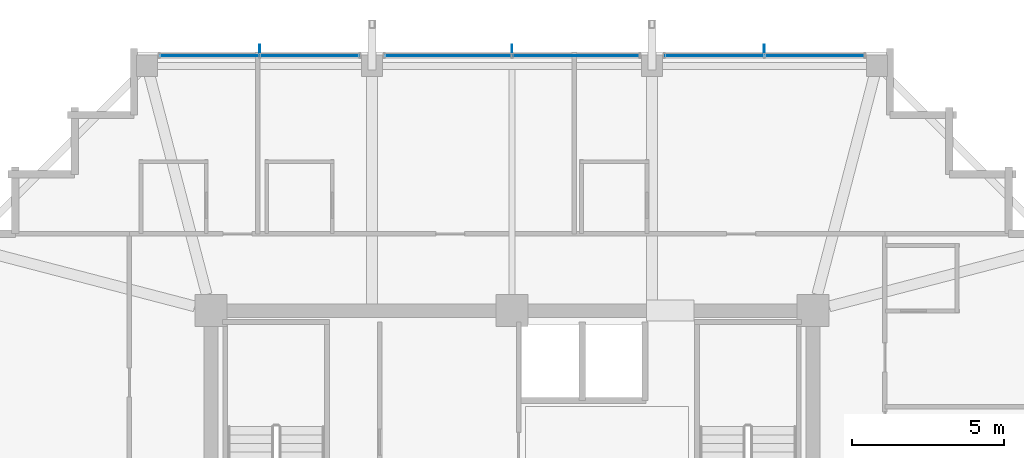
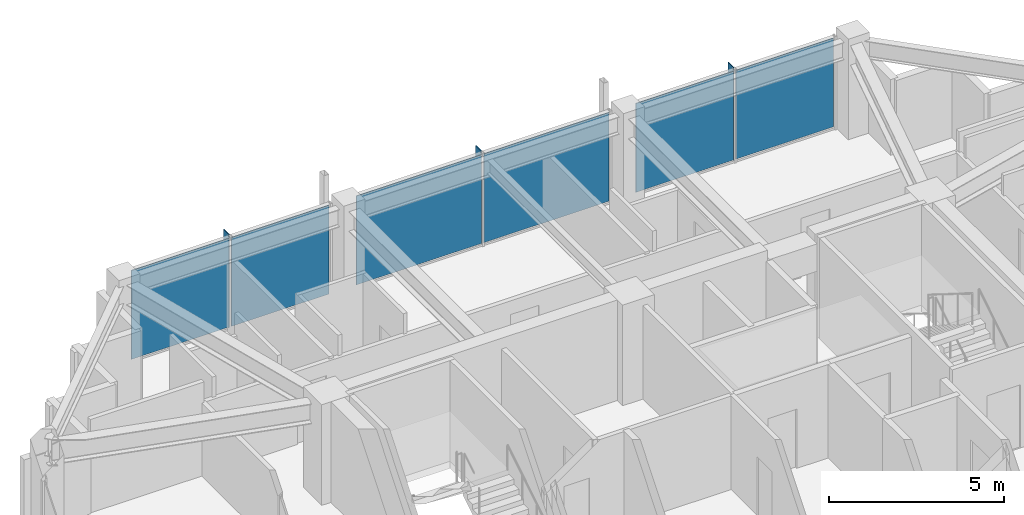
# One storey, part 23 of 29: 9 plates, 3 elements without a shape of their own.
"""IFC4 building model written with IfcOpenShell, lengths in metres."""

from ifc_helpers import new_model, si_unit, direction, frame, origin, origin_2d, place, context, subcontext, project, spatial, rectangle, extrude, material, layer, layer_set, type_object, element, aggregate, save


model = new_model("IFC4")

# Units and contexts
model_context = context("Model", 3, precision=1e-05, world=origin(), true_north=direction((0.0, 1.0)))
body_context = subcontext(model_context, "Body", "Model", "MODEL_VIEW")
ifc_project = project(units=[si_unit("LENGTHUNIT", "METRE"), si_unit("AREAUNIT", "SQUARE_METRE"), si_unit("VOLUMEUNIT", "CUBIC_METRE"), si_unit("PLANEANGLEUNIT", "RADIAN"), si_unit("MASSUNIT", "GRAM", prefix="KILO")], contexts=[model_context])

# Site, building, storey
site_placement = place(None, origin())
site = spatial("IfcSite", under=ifc_project, at=site_placement, CompositionType="ELEMENT")
building_placement = place(site_placement, origin())
building = spatial("IfcBuilding", under=site, at=building_placement, Name="Kolvaren Belvedere", CompositionType="ELEMENT")
storey_placement = place(building_placement, frame((0.0, 0.0, 244.39990234375)))
storey = spatial("IfcBuildingStorey", under=building, at=storey_placement, Name="L71", CompositionType="ELEMENT", Elevation=244.39990234375)

# Curtain wall, plates
ifc_material_1 = material(Name="Anodised pale-metal aluminium AA 6063-T6", Category="aluminium")
curtain_wall_type = type_object("IfcCurtainWallType", Name="CW-Z5-HIGH", PredefinedType="NOTDEFINED", material=ifc_material_1)
curtain_wall_1_placement = place(storey_placement, origin())
curtain_wall_1 = element("IfcCurtainWall", 1, at=curtain_wall_1_placement, inside=storey, type_object=curtain_wall_type, Name="L71 Unitised Curtain Wall FCW-L71-N-B1", PredefinedType="NOTDEFINED")
ifc_material_2 = material(Name="Low-iron triple insulated glass", Category="glass")
ifc_layer_1 = layer(ifc_material_2, 0.028076171875)
ifc_layer_set_1 = layer_set([ifc_layer_1], Name="Low-iron triple insulated glass")
plate_type_1 = type_object("IfcPlateType", Name="CW-PNL-VIS28", PredefinedType="CURTAIN_PANEL", material=ifc_layer_set_1)
plate_1_placement = place(storey_placement, frame((-9.947509765625, 18.280029296875, 0.080078125), z_axis=(0.0, 0.0, 1.0), x_axis=(1.0, 0.0, 0.0)))
plate_1 = element("IfcPlate", 2, at=plate_1_placement, type_object=plate_type_1, Name="FCW-L71-N-B1 Vision Glazing Panel 1", PredefinedType="CURTAIN_PANEL", context=body_context, shape_type="SweptSolid", body=[
    extrude(rectangle(XDim=3.215087890625, YDim=0.028076171875, at=origin_2d()), origin(), (0.0, 0.0, 1.0), 3.090087890625),
])
plate_2_placement = place(storey_placement, frame((-6.652587890625, 18.280029296875, 0.080078125), z_axis=(0.0, 0.0, 1.0), x_axis=(1.0, 0.0, 0.0)))
plate_2 = element("IfcPlate", 3, at=plate_2_placement, type_object=plate_type_1, Name="FCW-L71-N-B1 Vision Glazing Panel 2", PredefinedType="CURTAIN_PANEL", context=body_context, shape_type="SweptSolid", body=[
    extrude(rectangle(XDim=3.215087890625, YDim=0.028076171875, at=origin_2d()), origin(), (0.0, 0.0, 1.0), 3.090087890625),
])
aggregate(curtain_wall_1, [plate_1, plate_2])

curtain_wall_2_placement = place(storey_placement, origin())
curtain_wall_2 = element("IfcCurtainWall", 4, at=curtain_wall_2_placement, inside=storey, type_object=curtain_wall_type, Name="L71 Unitised Curtain Wall FCW-L71-N-B2", PredefinedType="NOTDEFINED")
plate_3_placement = place(storey_placement, frame((-2.097412109375, 18.280029296875, 0.080078125), z_axis=(0.0, 0.0, 1.0), x_axis=(1.0, 0.0, 0.0)))
plate_3 = element("IfcPlate", 5, at=plate_3_placement, type_object=plate_type_1, Name="FCW-L71-N-B2 Vision Glazing Panel 1", PredefinedType="CURTAIN_PANEL", context=body_context, shape_type="SweptSolid", body=[
    extrude(rectangle(XDim=4.114990234375, YDim=0.028076171875, at=origin_2d()), origin(), (0.0, 0.0, 1.0), 3.090087890625),
])
plate_4_placement = place(storey_placement, frame((2.097412109375, 18.280029296875, 0.080078125), z_axis=(0.0, 0.0, 1.0), x_axis=(1.0, 0.0, 0.0)))
plate_4 = element("IfcPlate", 6, at=plate_4_placement, type_object=plate_type_1, Name="FCW-L71-N-B2 Vision Glazing Panel 2", PredefinedType="CURTAIN_PANEL", context=body_context, shape_type="SweptSolid", body=[
    extrude(rectangle(XDim=4.114990234375, YDim=0.028076171875, at=origin_2d()), origin(), (0.0, 0.0, 1.0), 3.090087890625),
])
aggregate(curtain_wall_2, [plate_3, plate_4])

curtain_wall_3_placement = place(storey_placement, origin())
curtain_wall_3 = element("IfcCurtainWall", 7, at=curtain_wall_3_placement, inside=storey, type_object=curtain_wall_type, Name="L71 Unitised Curtain Wall FCW-L71-N-B3", PredefinedType="NOTDEFINED")
plate_5_placement = place(storey_placement, frame((6.652587890625, 18.280029296875, 0.080078125), z_axis=(0.0, 0.0, 1.0), x_axis=(1.0, 0.0, 0.0)))
plate_5 = element("IfcPlate", 8, at=plate_5_placement, type_object=plate_type_1, Name="FCW-L71-N-B3 Vision Glazing Panel 1", PredefinedType="CURTAIN_PANEL", context=body_context, shape_type="SweptSolid", body=[
    extrude(rectangle(XDim=3.215087890625, YDim=0.028076171875, at=origin_2d()), origin(), (0.0, 0.0, 1.0), 3.090087890625),
])
plate_6_placement = place(storey_placement, frame((9.947509765625, 18.280029296875, 0.080078125), z_axis=(0.0, 0.0, 1.0), x_axis=(1.0, 0.0, 0.0)))
plate_6 = element("IfcPlate", 9, at=plate_6_placement, type_object=plate_type_1, Name="FCW-L71-N-B3 Vision Glazing Panel 2", PredefinedType="CURTAIN_PANEL", context=body_context, shape_type="SweptSolid", body=[
    extrude(rectangle(XDim=3.215087890625, YDim=0.028076171875, at=origin_2d()), origin(), (0.0, 0.0, 1.0), 3.090087890625),
])
aggregate(curtain_wall_3, [plate_5, plate_6])

# Plates
ifc_material_3 = material(Name="Anodised pale-metal aluminium AA 6063-T6", Category="aluminium")
ifc_layer_2 = layer(ifc_material_3, 0.030029296875)
ifc_layer_set_2 = layer_set([ifc_layer_2], Name="Anodised pale-metal aluminium AA 6063-T6")
plate_type_2 = type_object("IfcPlateType", Name="FIN-VERT-300", PredefinedType="USERDEFINED", material=ifc_layer_set_2)
for number, where, z_axis, x_axis, name in (
    (10, (-8.300048828125, 18.489990234375, 0.0), (0.0, 0.0, 1.0), (0.0, 1.0, 0.0), "L71 Pale-Metal Vertical Shading Fin FCW-L71-N-B1-1"),
    (11, (0.0, 18.489990234375, 0.0), (0.0, 0.0, 1.0), (0.0, 1.0, 0.0), "L71 Pale-Metal Vertical Shading Fin FCW-L71-N-B2-1"),
    (12, (8.300048828125, 18.489990234375, 0.0), (0.0, 0.0, 1.0), (0.0, 1.0, 0.0), "L71 Pale-Metal Vertical Shading Fin FCW-L71-N-B3-1"),
):
    element("IfcPlate", number, at=place(storey_placement, frame(where, z_axis=z_axis, x_axis=x_axis)), inside=storey, type_object=plate_type_2, Name=name, ObjectType="VERTICAL FIN", PredefinedType="USERDEFINED", context=body_context, shape_type="SweptSolid", body=[
        extrude(rectangle(XDim=0.300048828125, YDim=0.030029296875, at=origin_2d()), origin(), (0.0, 0.0, 1.0), 3.25),
    ])

save(model, "model.ifc")
